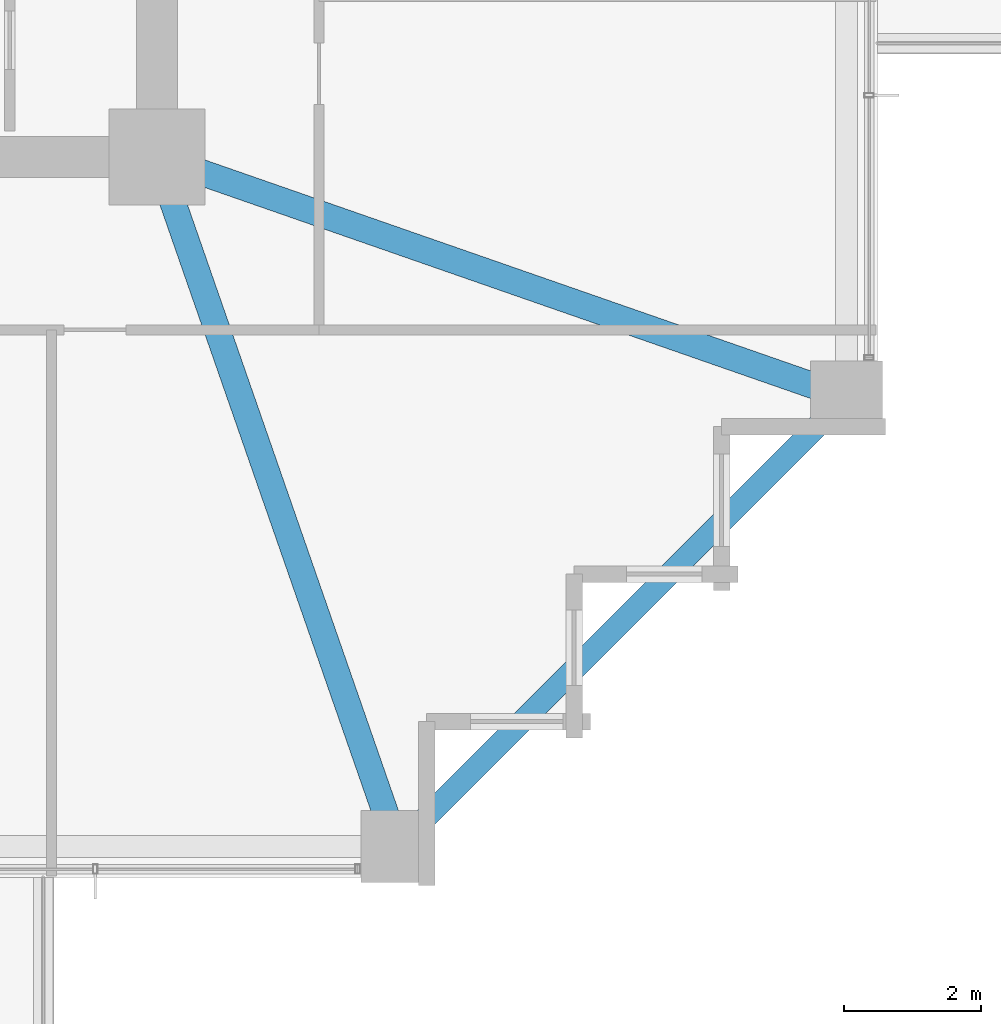
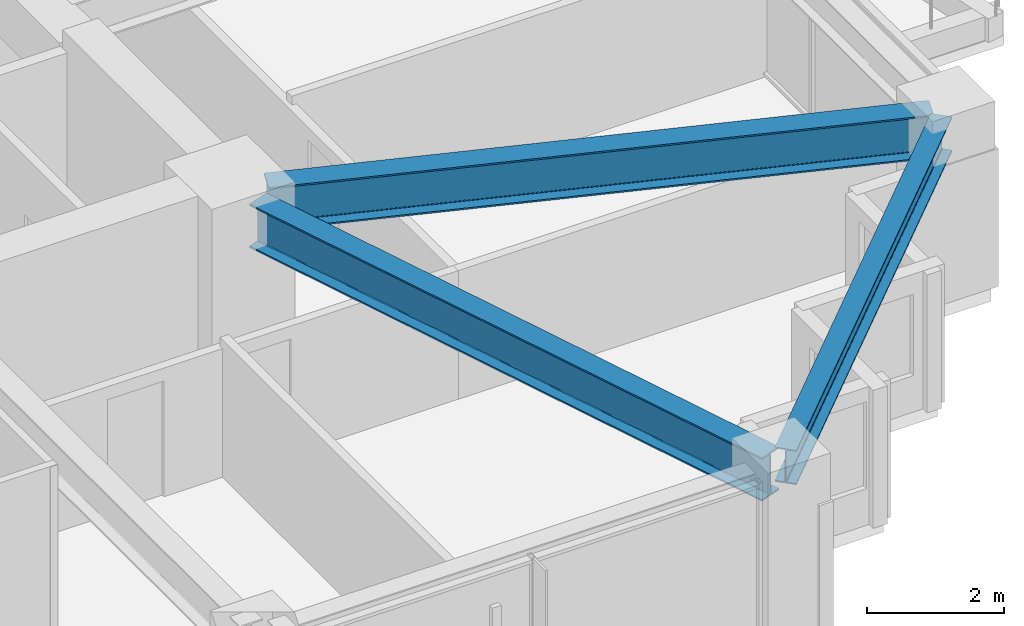
# One storey, part 11 of 38: 3 beams.
"""IFC4 building model written with IfcOpenShell, lengths in metres."""

from ifc_helpers import new_model, si_unit, direction, frame, origin, origin_2d, place, context, subcontext, project, spatial, i_section, extrude, material, material_profile, profile_set, type_object, element, save


model = new_model("IFC4")

# Units and contexts
model_context = context("Model", 3, precision=1e-05, world=origin(), true_north=direction((0.0, 1.0)))
body_context = subcontext(model_context, "Body", "Model", "MODEL_VIEW")
ifc_project = project(units=[si_unit("LENGTHUNIT", "METRE"), si_unit("AREAUNIT", "SQUARE_METRE"), si_unit("VOLUMEUNIT", "CUBIC_METRE"), si_unit("PLANEANGLEUNIT", "RADIAN"), si_unit("MASSUNIT", "GRAM", prefix="KILO")], contexts=[model_context])

# Site, building, storey
site_placement = place(None, origin())
site = spatial("IfcSite", under=ifc_project, at=site_placement, CompositionType="ELEMENT")
building_placement = place(site_placement, origin())
building = spatial("IfcBuilding", under=site, at=building_placement, Name="Kolvaren Belvedere", CompositionType="ELEMENT")
storey_placement = place(building_placement, frame((0.0, 0.0, 101.89990234375)))
storey = spatial("IfcBuildingStorey", under=building, at=storey_placement, Name="L29", CompositionType="ELEMENT", Elevation=101.89990234375)

# Beams
ifc_material_1 = material(Name="Structural steel ASTM A992 Grade 50", Category="steel")
ifc_material_profile_1 = material_profile(ifc_material_1, i_section(OverallWidth=0.381103515625, OverallDepth=0.77294921875, WebThickness=0.0166015625, FlangeThickness=0.027099609375, FilletRadius=0.02392578125, at=origin_2d()), Name="W30X173")
ifc_profile_set_1 = profile_set([ifc_material_profile_1], Name="Structural steel ASTM A992 Grade 50")
beam_type_1 = type_object("IfcBeamType", Name="BM-GIRD-W30X173", PredefinedType="BEAM", material=ifc_profile_set_1)
for number, where, z_axis, x_axis, name in (
    (1, (10.080810546875, -10.41943359375, 2.693603515625), (0.328880894453, -0.944371408538, 0.0), (0.944371408538, 0.328880894453, 0.0), "L29 Corner Core-to-Perimeter Girder CC2-S4"),
    (2, (10.41943359375, -10.080810546875, 2.693603515625), (0.944371408538, -0.328880894453, 0.0), (0.328880894453, 0.944371408538, 0.0), "L29 Corner Core-to-Perimeter Girder CC2-E1"),
):
    element("IfcBeam", number, at=place(storey_placement, frame(where, z_axis=z_axis, x_axis=x_axis)), inside=storey, type_object=beam_type_1, Name=name, PredefinedType="BEAM", context=body_context, shape_type="SweptSolid", body=[
        extrude(i_section(OverallWidth=0.381103515625, OverallDepth=0.77294921875, WebThickness=0.0166015625, FlangeThickness=0.027099609375, FilletRadius=0.02392578125, at=origin_2d()), origin(), (0.0, 0.0, 1.0), 9.882080078125),
    ])
ifc_material_2 = material(Name="Structural steel ASTM A992 Grade 50", Category="steel")
ifc_material_profile_2 = material_profile(ifc_material_2, i_section(OverallWidth=0.324951171875, OverallDepth=0.615966796875, WebThickness=0.013916015625, FlangeThickness=0.021484375, FilletRadius=0.02001953125, at=origin_2d()), Name="W24X117")
ifc_profile_set_2 = profile_set([ifc_material_profile_2], Name="Structural steel ASTM A992 Grade 50")
beam_type_2 = type_object("IfcBeamType", Name="BM-SPAN-W24X117", PredefinedType="SPANDREL", material=ifc_profile_set_2)
beam_placement = place(storey_placement, frame((13.567138671875, -19.782958984375, 2.772216796875), z_axis=(0.707106781187, 0.707106781187, 0.0), x_axis=(-0.707106781187, 0.707106781187, 0.0)))
element("IfcBeam", 3, at=beam_placement, inside=storey, type_object=beam_type_2, Name="L29 Perimeter Spandrel S4-E1", PredefinedType="SPANDREL", context=body_context, shape_type="SweptSolid", body=[
    extrude(i_section(OverallWidth=0.324951171875, OverallDepth=0.615966796875, WebThickness=0.013916015625, FlangeThickness=0.021484375, FilletRadius=0.02001953125, at=origin_2d()), origin(), (0.0, 0.0, 1.0), 8.79052734375),
])

save(model, "model.ifc")
